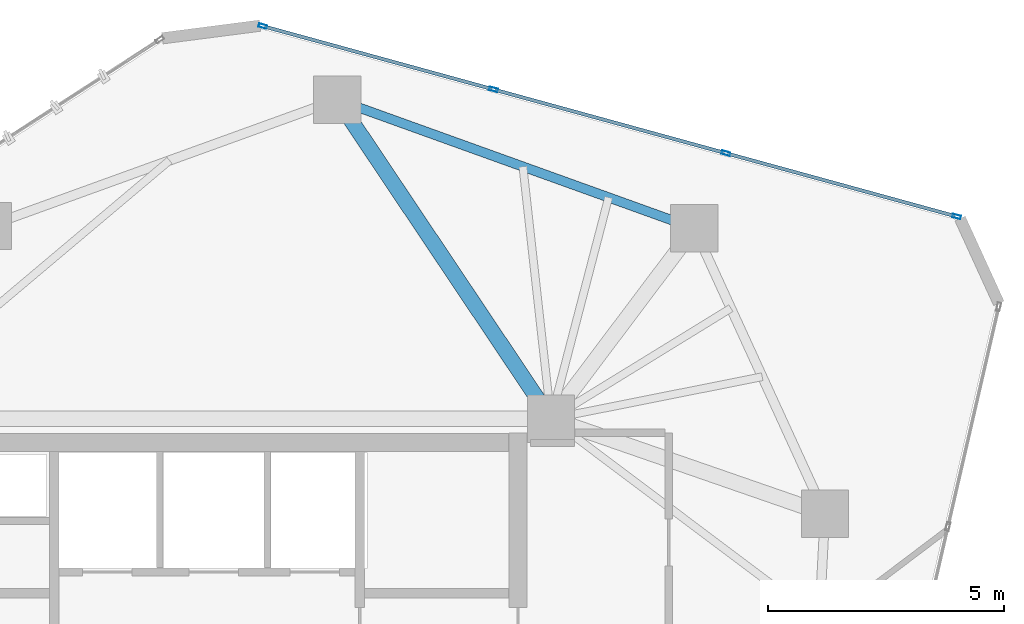
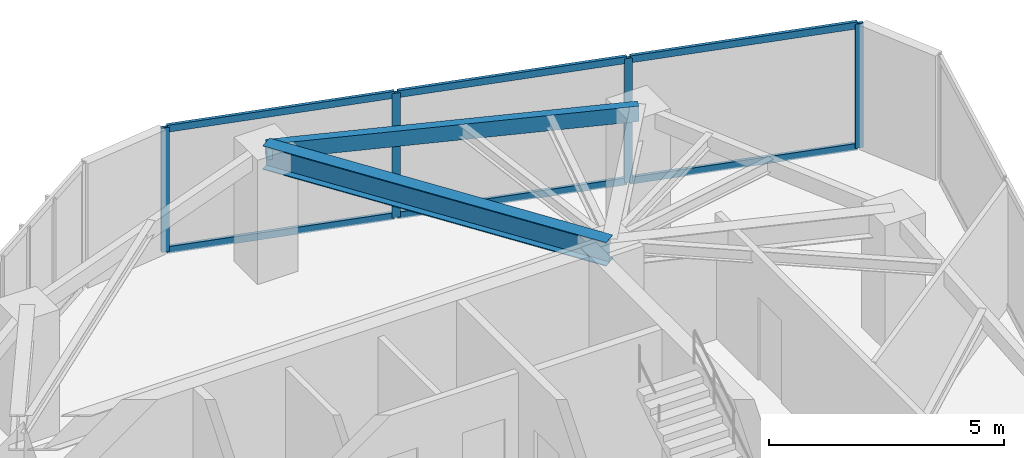
# One storey, part 13 of 18: 10 members, 2 beams, 1 element without a shape of its own.
"""IFC4 building model written with IfcOpenShell, lengths in metres."""

import ifcopenshell
import ifcopenshell.guid

model = None  # the IFC model being written
_history = None  # IfcOwnerHistory: only IFC2X3 demands one
_inside = {}  # id of a spatial element -> (the spatial element, [elements in it])
_under = {}  # id of a project, library or spatial element -> (it, [spatial elements below it])
_declared = {}  # id of a project -> (the project, [libraries it declares])
_typed = {}  # id of a type object -> (the type object, [elements of that type])
_made_of = {}  # id of a material, layer set ... -> (it, [elements and type objects made of it])


def new_model(schema):
    """Start an empty IFC model of exactly this schema.

    Asked for "IFC4X3", IfcOpenShell would pick the latest addendum, in which some entities
    have other attributes; the version numbers below select the first issue.
    IFC2X3 requires an IfcOwnerHistory on every rooted entity: one is made here for all.
    """
    global model, _history
    if schema == "IFC4X3":
        model = ifcopenshell.file(schema_version=(4, 3, 0, 0))
    else:
        model = ifcopenshell.file(schema=schema)
    _inside.clear()
    _under.clear()
    _declared.clear()
    _typed.clear()
    _made_of.clear()
    _history = None
    if model.schema == "IFC2X3":
        org = make("IfcOrganization", Name="unknown")
        user = make(
            "IfcPersonAndOrganization",
            ThePerson=make("IfcPerson", FamilyName="unknown"),
            TheOrganization=org,
        )
        app = make(
            "IfcApplication",
            ApplicationDeveloper=org,
            Version="unknown",
            ApplicationFullName="unknown",
            ApplicationIdentifier="unknown",
        )
        _history = make(
            "IfcOwnerHistory",
            OwningUser=user,
            OwningApplication=app,
            ChangeAction="ADDED",
            CreationDate=0,
        )
    return model


def make(cls, **values):
    """One entity of the class cls with the attributes given. An attribute that is None is left unset."""
    return model.create_entity(
        cls, **{name: value for name, value in values.items() if value is not None}
    )


def rooted(cls, **values):
    """An entity with a GlobalId (a new one), such as an element, a storey or a relation."""
    return make(cls, GlobalId=ifcopenshell.guid.new(), OwnerHistory=_history, **values)


def si_unit(unit_type, name, prefix=None):
    """IfcSIUnit, for example si_unit("LENGTHUNIT", "METRE", prefix="MILLI")."""
    return make("IfcSIUnit", UnitType=unit_type, Prefix=prefix, Name=name)


def assignment(units):
    """IfcUnitAssignment: the units of a project."""
    return None if units is None else make("IfcUnitAssignment", Units=units)


def point(xyz):
    """IfcCartesianPoint."""
    return None if xyz is None else make("IfcCartesianPoint", Coordinates=xyz)


def direction(xyz):
    """IfcDirection."""
    return None if xyz is None else make("IfcDirection", DirectionRatios=xyz)


def frame(location, z_axis=None, x_axis=None):
    """IfcAxis2Placement3D, a coordinate frame: its origin and axes. An axis left out is left unset."""
    return make(
        "IfcAxis2Placement3D",
        Location=point(location),
        Axis=direction(z_axis),
        RefDirection=direction(x_axis),
    )


def frame_2d(location, x_axis=None):
    """IfcAxis2Placement2D, a coordinate frame in the plane: its origin and x axis."""
    return make(
        "IfcAxis2Placement2D", Location=point(location), RefDirection=direction(x_axis)
    )


def origin():
    """The frame at (0, 0, 0) with its axes left unset."""
    return frame((0.0, 0.0, 0.0))


def origin_2d():
    """The frame at (0, 0) in the plane with its x axis left unset."""
    return frame_2d((0.0, 0.0))


def place(relative_to, where):
    """IfcLocalPlacement: puts the frame where relative to a parent placement (None: the world)."""
    return make(
        "IfcLocalPlacement", PlacementRelTo=relative_to, RelativePlacement=where
    )


def context(
    kind, dimensions, precision=None, world=None, true_north=None, identifier=None
):
    """IfcGeometricRepresentationContext, for example the 3D "Model" context."""
    return make(
        "IfcGeometricRepresentationContext",
        ContextIdentifier=identifier,
        ContextType=kind,
        CoordinateSpaceDimension=dimensions,
        Precision=precision,
        WorldCoordinateSystem=world,
        TrueNorth=true_north,
    )


def subcontext(parent, identifier, kind, view, scale=None):
    """IfcGeometricRepresentationSubContext, for example "Body" below "Model"."""
    return make(
        "IfcGeometricRepresentationSubContext",
        ContextIdentifier=identifier,
        ContextType=kind,
        ParentContext=parent,
        TargetScale=scale,
        TargetView=view,
    )


def project(units=None, contexts=None):
    """IfcProject with its units and contexts."""
    return rooted(
        "IfcProject",
        Name="project",
        RepresentationContexts=contexts,
        UnitsInContext=assignment(units),
    )


def spatial(cls, under=None, at=None, **own):
    """A site, building, storey or space (cls), placed at a placement, below another one or the project."""
    s = rooted(cls, ObjectPlacement=at, **own)
    if under is not None:
        _under.setdefault(under.id(), (under, []))[1].append(s)
    return s


def profile(cls, at=None, kind="AREA", **sizes):
    """A parametric profile (cls). Its sizes go by their IFC names, for example OverallWidth=200.0."""
    return make(cls, ProfileType=kind, Position=at, **sizes)


def hollow_rectangle(**sizes):
    """IfcRectangleHollowProfileDef."""
    return profile("IfcRectangleHollowProfileDef", **sizes)


def i_section(**sizes):
    """IfcIShapeProfileDef."""
    return profile("IfcIShapeProfileDef", **sizes)


def extrude(swept, where, along, depth):
    """IfcExtrudedAreaSolid: the profile swept, set in the frame where, extruded along a direction by depth."""
    return make(
        "IfcExtrudedAreaSolid",
        SweptArea=swept,
        Position=where,
        ExtrudedDirection=direction(along),
        Depth=depth,
    )


def shape(context_of_items, identifier, shape_type, items):
    """IfcShapeRepresentation: the items that make up one representation, for example the "Body"."""
    return make(
        "IfcShapeRepresentation",
        ContextOfItems=context_of_items,
        RepresentationIdentifier=identifier,
        RepresentationType=shape_type,
        Items=items,
    )


def source(mapping_origin, context_of_items, identifier, shape_type, items):
    """IfcRepresentationMap: a shape defined once, which mapped items show again and again."""
    return make(
        "IfcRepresentationMap",
        MappingOrigin=mapping_origin,
        MappedRepresentation=shape(context_of_items, identifier, shape_type, items),
    )


def transform(
    local_origin,
    x_axis=None,
    y_axis=None,
    z_axis=None,
    scale=None,
    scale2=None,
    scale3=None,
    uniform=True,
):
    """IfcCartesianTransformationOperator3D, or its non-uniform kind. x_axis, y_axis, z_axis: its Axis1, 2, 3."""
    if uniform:
        return make(
            "IfcCartesianTransformationOperator3D",
            Axis1=direction(x_axis),
            Axis2=direction(y_axis),
            LocalOrigin=point(local_origin),
            Scale=scale,
            Axis3=direction(z_axis),
        )
    return make(
        "IfcCartesianTransformationOperator3DnonUniform",
        Axis1=direction(x_axis),
        Axis2=direction(y_axis),
        LocalOrigin=point(local_origin),
        Scale=scale,
        Axis3=direction(z_axis),
        Scale2=scale2,
        Scale3=scale3,
    )


def mapped(mapping_source, mapping_target):
    """IfcMappedItem: shows the shape of a source again, moved by a transform."""
    return make(
        "IfcMappedItem", MappingSource=mapping_source, MappingTarget=mapping_target
    )


def material(Name=None, Category=None):
    """IfcMaterial."""
    return make("IfcMaterial", Name=Name, Category=Category)


def layer(
    of_material, thickness, ventilated=None, Name=None, Category=None, Priority=None
):
    """IfcMaterialLayer: one layer of a wall or slab, of a material (None: an air gap)."""
    return make(
        "IfcMaterialLayer",
        Material=of_material,
        LayerThickness=thickness,
        IsVentilated=ventilated,
        Name=Name,
        Category=Category,
        Priority=Priority,
    )


def layer_set(layers, Name=None):
    """IfcMaterialLayerSet."""
    return make("IfcMaterialLayerSet", MaterialLayers=layers, LayerSetName=Name)


def material_profile(
    of_material, cross_section, Name=None, Category=None, Priority=None
):
    """IfcMaterialProfile: a cross section and its material."""
    return make(
        "IfcMaterialProfile",
        Name=Name,
        Material=of_material,
        Profile=cross_section,
        Priority=Priority,
        Category=Category,
    )


def profile_set(profiles, Name=None, composite=None):
    """IfcMaterialProfileSet."""
    return make(
        "IfcMaterialProfileSet",
        Name=Name,
        MaterialProfiles=profiles,
        CompositeProfile=composite,
    )


def made_of(thing, what):
    """Note that an element or type object is made of a material, layer set ...; save() writes the relation."""
    if what is not None:
        _made_of.setdefault(what.id(), (what, []))[1].append(thing)
    return thing


def type_object(cls, material=None, **own):
    """A type object (cls), such as IfcWallType, which elements share."""
    return made_of(rooted(cls, **own), material)


def type_shapes(of_type, sources):
    """Give a type object the sources (RepresentationMaps) that its elements show as mapped items."""
    of_type.RepresentationMaps = sources


def element(
    cls,
    number,
    at=None,
    inside=None,
    cuts=None,
    type_object=None,
    material=None,
    context=None,
    identifier="Body",
    shape_type=None,
    held_by="IfcProductDefinitionShape",
    body=None,
    shapes=None,
    **own,
):
    """One element of the class cls, such as IfcWall. Its Tag is "e" and its number.

    at: its placement. inside: the storey or other place that contains it. cuts: it is an
    opening in that element (IfcRelVoidsElement). A single representation is given by context,
    identifier, shape_type and body (its items); several are given by shapes. held_by: the class
    of the entity that holds the representations. save() writes the other relations.
    """
    e = rooted(cls, Tag="e%d" % number, ObjectPlacement=at, **own)
    if body is not None:
        shapes = [shape(context, identifier, shape_type, body)]
    if shapes is not None:
        e.Representation = make(held_by, Representations=shapes)
    if inside is not None:
        _inside.setdefault(inside.id(), (inside, []))[1].append(e)
    if cuts is not None:
        rooted(
            "IfcRelVoidsElement", RelatingBuildingElement=cuts, RelatedOpeningElement=e
        )
    if type_object is not None:
        _typed.setdefault(type_object.id(), (type_object, []))[1].append(e)
    return made_of(e, material)


def aggregate(whole, parts):
    """IfcRelAggregates: a whole, such as a stair, and the parts it consists of."""
    return rooted("IfcRelAggregates", RelatingObject=whole, RelatedObjects=parts)


def save(model, path):
    """Write the relations noted so far, then the file.

    IfcRelAggregates (storeys below a building ...), IfcRelContainedInSpatialStructure (elements
    in a storey), IfcRelDefinesByType, IfcRelAssociatesMaterial and IfcRelDeclares: one each for
    every whole, place, type object, material and project.
    """
    for whole, parts in _under.values():
        aggregate(whole, parts)
    for where, things in _inside.values():
        rooted(
            "IfcRelContainedInSpatialStructure",
            RelatedElements=things,
            RelatingStructure=where,
        )
    for kind, things in _typed.values():
        rooted("IfcRelDefinesByType", RelatedObjects=things, RelatingType=kind)
    for what, things in _made_of.values():
        rooted("IfcRelAssociatesMaterial", RelatedObjects=things, RelatingMaterial=what)
    for by, libraries in _declared.values():
        rooted("IfcRelDeclares", RelatingContext=by, RelatedDefinitions=libraries)
    model.write(path)


model = new_model("IFC4")

# Units and contexts
model_context = context("Model", 3, precision=1e-05, world=origin(), true_north=direction((0.0, 1.0)))
body_context = subcontext(model_context, "Body", "Model", "MODEL_VIEW")
ifc_project = project(units=[si_unit("LENGTHUNIT", "METRE"), si_unit("AREAUNIT", "SQUARE_METRE"), si_unit("VOLUMEUNIT", "CUBIC_METRE"), si_unit("PLANEANGLEUNIT", "RADIAN"), si_unit("MASSUNIT", "GRAM", prefix="KILO")], contexts=[model_context])

# Site, building, storey
site_placement = place(None, origin())
site = spatial("IfcSite", under=ifc_project, at=site_placement, CompositionType="ELEMENT")
building_placement = place(site_placement, origin())
building = spatial("IfcBuilding", under=site, at=building_placement, Name="Talar Marvaseh", CompositionType="ELEMENT")
storey_placement = place(building_placement, frame((0.0, 0.0, 188.0)))
storey = spatial("IfcBuildingStorey", under=building, at=storey_placement, Name="L49", CompositionType="ELEMENT", Elevation=188.0)

# Beams
ifc_material_1 = material(Name="Steel S355", Category="steel")
ifc_material_profile_1 = material_profile(ifc_material_1, hollow_rectangle(XDim=0.199951171875, YDim=0.39990234375, WallThickness=0.013916015625, at=origin_2d()), Name="RHS400x200x14")
ifc_profile_set_1 = profile_set([ifc_material_profile_1], Name="Steel S355")
beam_type_1 = type_object("IfcBeamType", Name="Zone 3 Perimeter Spandrel Beam RHS400x200x14", PredefinedType="SPANDREL", material=ifc_profile_set_1)
beam_1_placement = place(storey_placement, frame((28.76611328125, 43.66796875, 3.030029296875), z_axis=(0.940923359576, -0.3386195969, 0.0), x_axis=(0.3386195969, 0.940923359576, 0.0)))
element("IfcBeam", 1, at=beam_1_placement, inside=storey, type_object=beam_type_1, Name="L49 Zone 3 Perimeter Spandrel Beam RHS400x200x14", PredefinedType="SPANDREL", context=body_context, shape_type="SweptSolid", body=[
    extrude(hollow_rectangle(XDim=0.199951171875, YDim=0.39990234375, WallThickness=0.013916015625, at=origin_2d()), origin(), (0.0, 0.0, 1.0), 8.050537109375),
])
ifc_material_profile_2 = material_profile(ifc_material_1, i_section(OverallWidth=0.324951171875, OverallDepth=0.615966796875, WebThickness=0.013916015625, FlangeThickness=0.021484375, at=origin_2d()), Name="W610x174")
ifc_profile_set_2 = profile_set([ifc_material_profile_2], Name="Steel S355")
beam_type_2 = type_object("IfcBeamType", Name="Zone 3 Radial Floor Girder W610x174", PredefinedType="BEAM", material=ifc_profile_set_2)
beam_2_placement = place(storey_placement, frame((28.76611328125, 43.66796875, 2.922119140625), z_axis=(0.556559209375, -0.830807948, 0.0), x_axis=(0.830807948, 0.556559209375, 0.0)))
element("IfcBeam", 2, at=beam_2_placement, inside=storey, type_object=beam_type_2, Name="L49 Zone 3 Radial Floor Girder W610x174", PredefinedType="BEAM", context=body_context, shape_type="SweptSolid", body=[
    extrude(i_section(OverallWidth=0.324951171875, OverallDepth=0.615966796875, WebThickness=0.013916015625, FlangeThickness=0.021484375, at=origin_2d()), origin(), (0.0, 0.0, 1.0), 8.146484375),
])

# Curtain wall, members
ifc_material_2 = material(Name="Architectural Aluminium", Category="aluminium")
ifc_layer = layer(ifc_material_2, 0.18994140625)
ifc_layer_set = layer_set([ifc_layer], Name="Architectural Aluminium")
curtain_wall_type = type_object("IfcCurtainWallType", Name="Unitised Solar Atelier Curtain Wall Z3", PredefinedType="NOTDEFINED", material=ifc_layer_set)
curtain_wall_placement = place(storey_placement, origin())
curtain_wall = element("IfcCurtainWall", 3, at=curtain_wall_placement, inside=storey, type_object=curtain_wall_type, Name="L49 Unitised Solar Atelier Curtain Wall Z3", PredefinedType="NOTDEFINED")
ifc_material_profile_3 = material_profile(ifc_material_2, hollow_rectangle(XDim=0.074951171875, YDim=0.179931640625, WallThickness=0.0048828125, at=origin_2d()), Name="RHS180x75x5")
ifc_profile_set_3 = profile_set([ifc_material_profile_3], Name="Architectural Aluminium")
member_type_1 = type_object("IfcMemberType", Name="Unitised Curtain Wall Standard Mullion RHS180x75x5", PredefinedType="MULLION", material=ifc_profile_set_3)
shared_shape_1 = source(origin(), body_context, "Body", "SweptSolid", [
    extrude(hollow_rectangle(XDim=0.074951171875, YDim=0.179931640625, WallThickness=0.0048828125, at=origin_2d()), origin(), (0.0, 0.0, 1.0), 3.22998046875),
])
type_shapes(member_type_1, [shared_shape_1])
member_1_placement = place(storey_placement, frame((27.186279296875, 45.230224609375, 0.0), z_axis=(0.0, 0.0, 1.0), x_axis=(0.264651720394, 0.964344060433, 0.0)))
member_1 = element("IfcMember", 4, at=member_1_placement, type_object=member_type_1, Name="CW-Z3 mullion 1", PredefinedType="MULLION", context=body_context, shape_type="MappedRepresentation", body=[
    mapped(shared_shape_1, transform((0.0, 0.0, 0.0), x_axis=(1.0, 0.0, 0.0), y_axis=(0.0, 1.0, 0.0), z_axis=(0.0, 0.0, 1.0), scale=1.0)),
])
member_2_placement = place(storey_placement, frame((32.080810546875, 43.886962890625, 0.0), z_axis=(0.0, 0.0, 1.0), x_axis=(0.264651720394, 0.964344060433, 0.0)))
member_2 = element("IfcMember", 5, at=member_2_placement, type_object=member_type_1, Name="CW-Z3 mullion 2", PredefinedType="MULLION", context=body_context, shape_type="MappedRepresentation", body=[
    mapped(shared_shape_1, transform((0.0, 0.0, 0.0), x_axis=(1.0, 0.0, 0.0), y_axis=(0.0, 1.0, 0.0), z_axis=(0.0, 0.0, 1.0), scale=1.0)),
])
member_3_placement = place(storey_placement, frame((37.011474609375, 42.53369140625, 0.0), z_axis=(0.0, 0.0, 1.0), x_axis=(0.264651720394, 0.964344060433, 0.0)))
member_3 = element("IfcMember", 6, at=member_3_placement, type_object=member_type_1, Name="CW-Z3 mullion 3", PredefinedType="MULLION", context=body_context, shape_type="MappedRepresentation", body=[
    mapped(shared_shape_1, transform((0.0, 0.0, 0.0), x_axis=(1.0, 0.0, 0.0), y_axis=(0.0, 1.0, 0.0), z_axis=(0.0, 0.0, 1.0), scale=1.0)),
])
member_4_placement = place(storey_placement, frame((41.906005859375, 41.1904296875, 0.0), z_axis=(0.0, 0.0, 1.0), x_axis=(0.264651720394, 0.964344060433, 0.0)))
member_4 = element("IfcMember", 7, at=member_4_placement, type_object=member_type_1, Name="CW-Z3 mullion 4", PredefinedType="MULLION", context=body_context, shape_type="MappedRepresentation", body=[
    mapped(shared_shape_1, transform((0.0, 0.0, 0.0), x_axis=(1.0, 0.0, 0.0), y_axis=(0.0, 1.0, 0.0), z_axis=(0.0, 0.0, 1.0), scale=1.0)),
])
ifc_material_profile_4 = material_profile(ifc_material_2, hollow_rectangle(XDim=0.074951171875, YDim=0.179931640625, WallThickness=0.0048828125, at=origin_2d()), Name="RHS180x75x5")
ifc_profile_set_4 = profile_set([ifc_material_profile_4], Name="Architectural Aluminium")
member_type_2 = type_object("IfcMemberType", Name="Unitised Curtain Wall Transom RHS180x75x5", PredefinedType="USERDEFINED", material=ifc_profile_set_4)
shared_shape_2 = source(origin(), body_context, "Body", "SweptSolid", [
    extrude(hollow_rectangle(XDim=0.074951171875, YDim=0.179931640625, WallThickness=0.0048828125, at=origin_2d()), origin(), (0.0, 0.0, 1.0), 5.0380859375),
])
member_5_placement = place(storey_placement, frame((32.116943359375, 43.876953125, 0.03759765625), z_axis=(0.9643477324, -0.264638340032, 0.0), x_axis=(0.264638340032, 0.9643477324, 0.0)))
member_5 = element("IfcMember", 8, at=member_5_placement, type_object=member_type_2, Name="CW-Z3 transom 2.1", ObjectType="TRANSOM", PredefinedType="USERDEFINED", context=body_context, shape_type="MappedRepresentation", body=[
    mapped(shared_shape_2, transform((0.0, 0.0, 0.0), x_axis=(1.0, 0.0, 0.0), y_axis=(0.0, 1.0, 0.0), z_axis=(0.0, 0.0, 1.0), scale=1.0)),
])
member_6_placement = place(storey_placement, frame((32.116943359375, 43.876953125, 3.1923828125), z_axis=(0.9643477324, -0.264638340032, 0.0), x_axis=(0.264638340032, 0.9643477324, 0.0)))
member_6 = element("IfcMember", 9, at=member_6_placement, type_object=member_type_2, Name="CW-Z3 transom 2.2", ObjectType="TRANSOM", PredefinedType="USERDEFINED", context=body_context, shape_type="MappedRepresentation", body=[
    mapped(shared_shape_2, transform((0.0, 0.0, 0.0), x_axis=(1.0, 0.0, 0.0), y_axis=(0.0, 1.0, 0.0), z_axis=(0.0, 0.0, 1.0), scale=1.0)),
])
shared_shape_3 = source(origin(), body_context, "Body", "SweptSolid", [
    extrude(hollow_rectangle(XDim=0.074951171875, YDim=0.179931640625, WallThickness=0.0048828125, at=origin_2d()), origin(), (0.0, 0.0, 1.0), 5.00048828125),
])
member_7_placement = place(storey_placement, frame((37.047607421875, 42.52392578125, 0.03759765625), z_axis=(0.964340075891, -0.264666238933, 0.0), x_axis=(0.264666238933, 0.964340075891, 0.0)))
member_7 = element("IfcMember", 10, at=member_7_placement, type_object=member_type_2, Name="CW-Z3 transom 3.1", ObjectType="TRANSOM", PredefinedType="USERDEFINED", context=body_context, shape_type="MappedRepresentation", body=[
    mapped(shared_shape_3, transform((0.0, 0.0, 0.0), x_axis=(1.0, 0.0, 0.0), y_axis=(0.0, 1.0, 0.0), z_axis=(0.0, 0.0, 1.0), scale=1.0)),
])
member_8_placement = place(storey_placement, frame((37.047607421875, 42.52392578125, 3.1923828125), z_axis=(0.964340075891, -0.264666238933, 0.0), x_axis=(0.264666238933, 0.964340075891, 0.0)))
member_8 = element("IfcMember", 11, at=member_8_placement, type_object=member_type_2, Name="CW-Z3 transom 3.2", ObjectType="TRANSOM", PredefinedType="USERDEFINED", context=body_context, shape_type="MappedRepresentation", body=[
    mapped(shared_shape_3, transform((0.0, 0.0, 0.0), x_axis=(1.0, 0.0, 0.0), y_axis=(0.0, 1.0, 0.0), z_axis=(0.0, 0.0, 1.0), scale=1.0)),
])
shared_shape_4 = source(origin(), body_context, "Body", "SweptSolid", [
    extrude(hollow_rectangle(XDim=0.074951171875, YDim=0.179931640625, WallThickness=0.0048828125, at=origin_2d()), origin(), (0.0, 0.0, 1.0), 5.000244140625),
])
type_shapes(member_type_2, [shared_shape_2, shared_shape_3, shared_shape_4])
member_9_placement = place(storey_placement, frame((27.222412109375, 45.22021484375, 0.03759765625), z_axis=(0.964349116805, -0.264633295179, 0.0), x_axis=(0.264633295179, 0.964349116805, 0.0)))
member_9 = element("IfcMember", 12, at=member_9_placement, type_object=member_type_2, Name="CW-Z3 transom 1.1", ObjectType="TRANSOM", PredefinedType="USERDEFINED", context=body_context, shape_type="MappedRepresentation", body=[
    mapped(shared_shape_4, transform((0.0, 0.0, 0.0), x_axis=(1.0, 0.0, 0.0), y_axis=(0.0, 1.0, 0.0), z_axis=(0.0, 0.0, 1.0), scale=1.0)),
])
member_10_placement = place(storey_placement, frame((27.222412109375, 45.22021484375, 3.1923828125), z_axis=(0.964349116805, -0.264633295179, 0.0), x_axis=(0.264633295179, 0.964349116805, 0.0)))
member_10 = element("IfcMember", 13, at=member_10_placement, type_object=member_type_2, Name="CW-Z3 transom 1.2", ObjectType="TRANSOM", PredefinedType="USERDEFINED", context=body_context, shape_type="MappedRepresentation", body=[
    mapped(shared_shape_4, transform((0.0, 0.0, 0.0), x_axis=(1.0, 0.0, 0.0), y_axis=(0.0, 1.0, 0.0), z_axis=(0.0, 0.0, 1.0), scale=1.0)),
])
aggregate(curtain_wall, [member_1, member_2, member_3, member_4, member_9, member_10, member_5, member_6, member_7, member_8])

save(model, "model.ifc")
